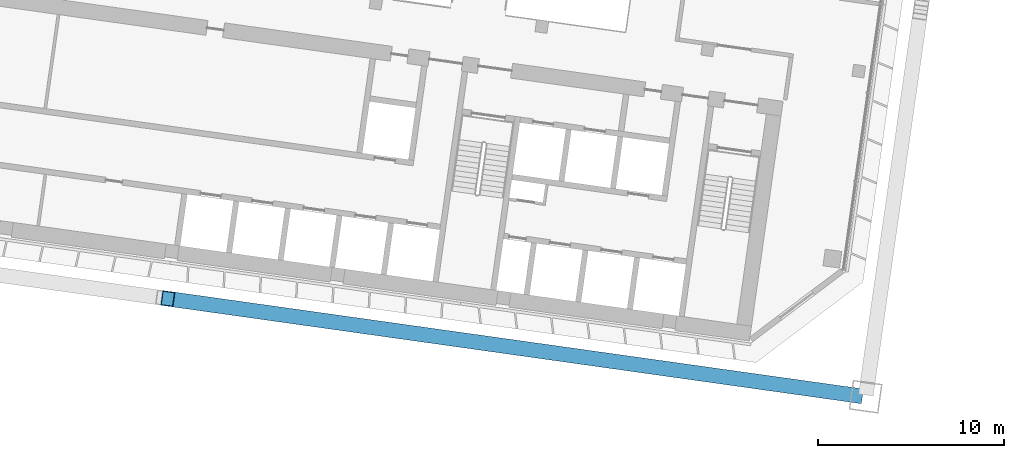
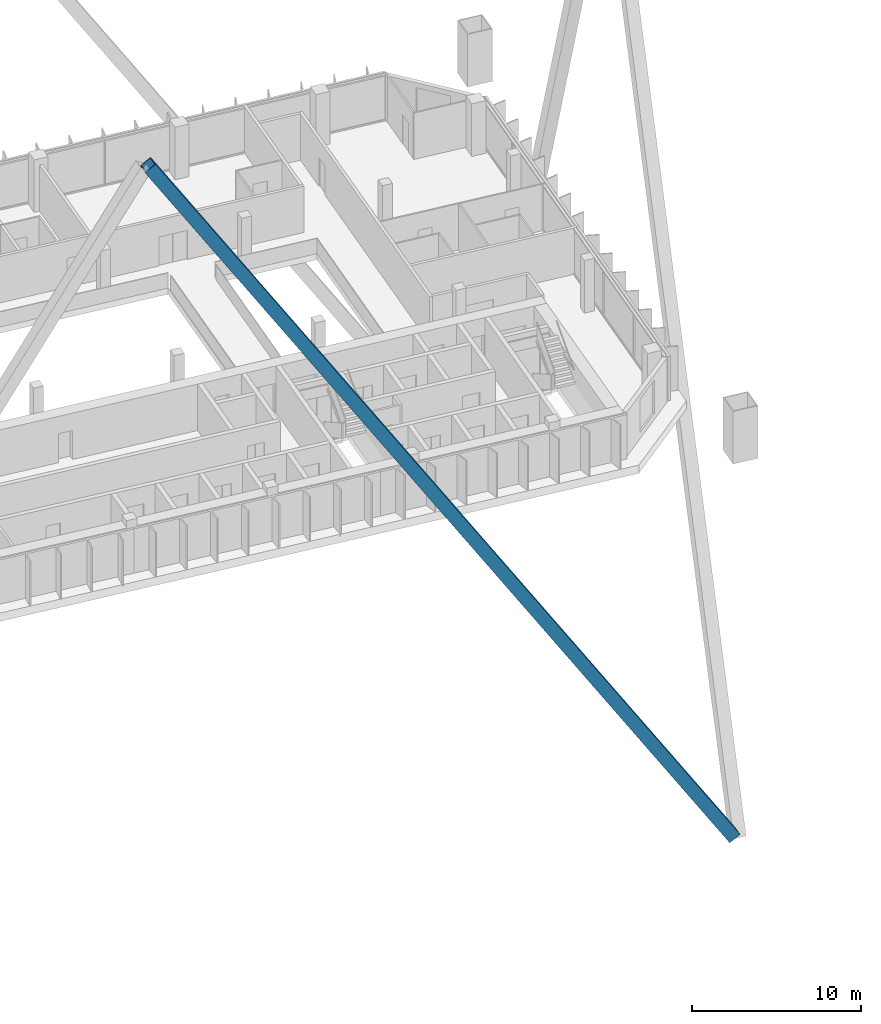
# One storey, part 3 of 41: 1 member.
"""IFC4 building model written with IfcOpenShell, lengths in metres."""

from ifc_helpers import new_model, si_unit, direction, frame, origin, origin_2d, place, context, subcontext, project, spatial, hollow_rectangle, extrude, material, material_profile, profile_set, type_object, element, save


model = new_model("IFC4")

# Units and contexts
model_context = context("Model", 3, precision=1e-05, world=origin(), true_north=direction((0.0, 1.0)))
body_context = subcontext(model_context, "Body", "Model", "MODEL_VIEW")
ifc_project = project(units=[si_unit("LENGTHUNIT", "METRE"), si_unit("AREAUNIT", "SQUARE_METRE"), si_unit("VOLUMEUNIT", "CUBIC_METRE"), si_unit("PLANEANGLEUNIT", "RADIAN"), si_unit("MASSUNIT", "GRAM", prefix="KILO")], contexts=[model_context])

# Site, building, storey
site_placement = place(None, origin())
site = spatial("IfcSite", under=ifc_project, at=site_placement, CompositionType="ELEMENT")
building_placement = place(site_placement, origin())
building = spatial("IfcBuilding", under=site, at=building_placement, Name="Mirante Cascada Hotel Towers", CompositionType="ELEMENT")
storey_placement = place(building_placement, frame((0.0, 0.0, 125.3)))
storey = spatial("IfcBuildingStorey", under=building, at=storey_placement, Name="L28", CompositionType="ELEMENT", Elevation=125.3)

# Member
ifc_material = material(Name="Steel ASTM A572 Gr 50", Category="steel")
ifc_material_profile = material_profile(ifc_material, hollow_rectangle(XDim=0.8, YDim=0.8, WallThickness=0.04, at=origin_2d()), Name="Box brace 800x800x40 ASTM A572 Gr 50")
ifc_profile_set = profile_set([ifc_material_profile], Name="Steel ASTM A572 Gr 50")
member_type = type_object("IfcMemberType", Name="Box brace 800x800x40 ASTM A572 Gr 50", PredefinedType="BRACE", material=ifc_profile_set)
member_placement = place(storey_placement, frame((-31.4504, -23.0025, -27.4172), z_axis=(-0.5344758, 0.075115, 0.8418393), x_axis=(-0.1391718, -0.9902683, 0.0)))
element("IfcMember", 1, at=member_placement, inside=storey, type_object=member_type, Name="brace T1 L28 3", PredefinedType="BRACE", context=body_context, shape_type="SweptSolid", body=[
    extrude(hollow_rectangle(XDim=0.8, YDim=0.8, WallThickness=0.04, at=origin_2d()), origin(), (0.0, 0.0, 1.0), 69.1953),
])

save(model, "model.ifc")
